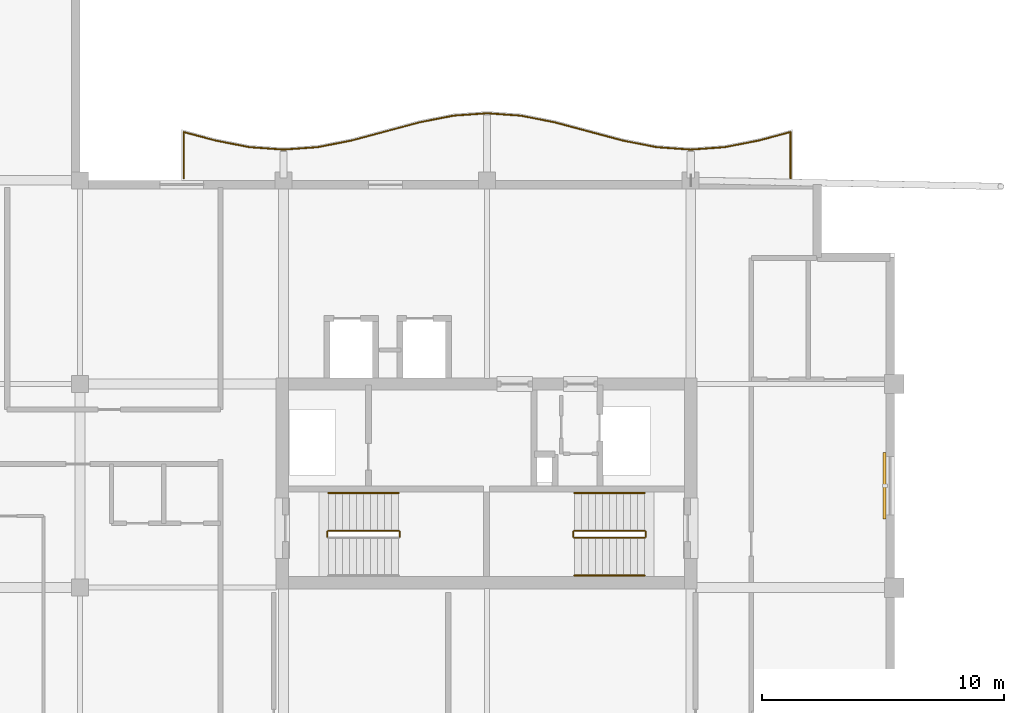
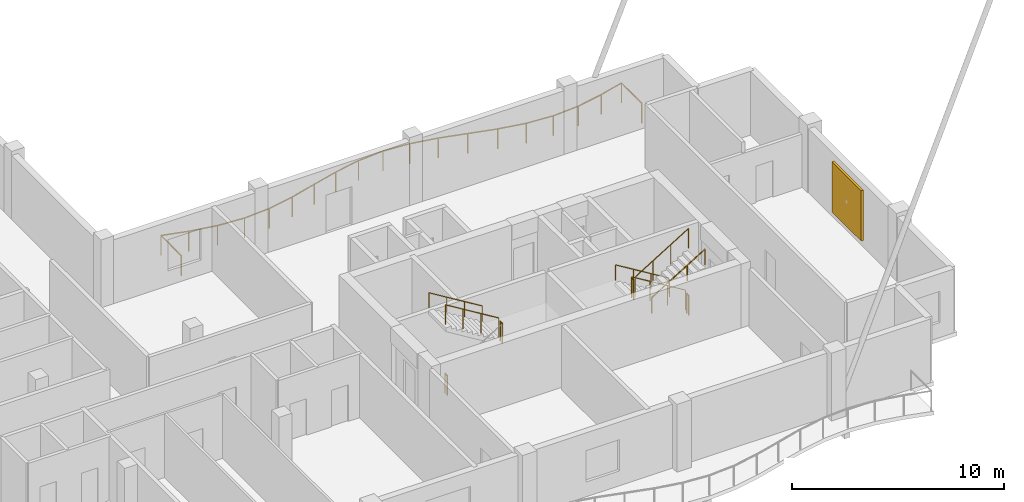
# One storey, part 16 of 17: 11 railings, 1 shading device.
"""IFC4 building model written with IfcOpenShell, lengths in metres."""

from ifc_helpers import new_model, si_unit, direction, frame, origin, origin_2d, place, context, subcontext, project, spatial, rectangle, circle, extrude, material, layer, layer_set, type_object, element, save


model = new_model("IFC4")

# Units and contexts
model_context = context("Model", 3, precision=1e-05, world=origin(), true_north=direction((0.0, 1.0)))
body_context = subcontext(model_context, "Body", "Model", "MODEL_VIEW")
ifc_project = project(units=[si_unit("LENGTHUNIT", "METRE"), si_unit("AREAUNIT", "SQUARE_METRE"), si_unit("VOLUMEUNIT", "CUBIC_METRE"), si_unit("PLANEANGLEUNIT", "RADIAN"), si_unit("MASSUNIT", "GRAM", prefix="KILO")], contexts=[model_context])

# Site, building, storey
site_placement = place(None, origin())
site = spatial("IfcSite", under=ifc_project, at=site_placement, CompositionType="ELEMENT")
building_placement = place(site_placement, origin())
building = spatial("IfcBuilding", under=site, at=building_placement, Name="Koriwani Terraces Tower", CompositionType="ELEMENT")
storey_placement = place(building_placement, frame((0.0, 0.0, 332.0)))
storey = spatial("IfcBuildingStorey", under=building, at=storey_placement, Name="L82", CompositionType="ELEMENT", Elevation=332.0)

# Railings
ifc_material_1 = material(Name="Steel ASTM A572 Grade 50", Category="steel")
railing_type_1 = type_object("IfcRailingType", Name="GUARD_BALUSTRADE_1150", PredefinedType="BALUSTRADE", material=ifc_material_1)
railing_1_placement = place(storey_placement, frame((62.919921875, 33.679931640625, 0.0)))
element("IfcRailing", 1, at=railing_1_placement, inside=storey, type_object=railing_type_1, Name="L82 Balcony Perimeter Safety Balustrade (NE)", PredefinedType="BALUSTRADE", context=body_context, shape_type="SweptSolid", body=[
    extrude(circle(Radius=0.02392578125, at=origin_2d()), frame((0.0, 0.0, 1.1259765625), z_axis=(0.0, 1.0, 0.0), x_axis=(-1.0, 0.0, 0.0)), (0.0, 0.0, 1.0), 1.915771484375),
    extrude(circle(Radius=0.02392578125, at=origin_2d()), frame((0.0, 1.915771484375, 1.1259765625), z_axis=(-0.965969874285, -0.258654599752, 0.0), x_axis=(0.258654599752, -0.965969874285, 0.0)), (0.0, 0.0, 1.0), 1.347900390625),
    extrude(circle(Radius=0.02392578125, at=origin_2d()), frame((-1.302001953125, 1.567138671875, 1.1259765625), z_axis=(-0.981352180954, -0.192218357442, 0.0), x_axis=(0.192218357442, -0.981352180954, 0.0)), (0.0, 0.0, 1.0), 1.43408203125),
    extrude(circle(Radius=0.02392578125, at=origin_2d()), frame((-2.709228515625, 1.29150390625, 1.1259765625), z_axis=(-0.997430581876, -0.071639614309, 0.0), x_axis=(0.071639614309, -0.997430581876, 0.0)), (0.0, 0.0, 1.0), 1.414306640625),
    extrude(circle(Radius=0.02392578125, at=origin_2d()), frame((-4.119873046875, 1.190185546875, 1.1259765625), z_axis=(-0.997430581876, 0.071639614309, 0.0), x_axis=(-0.071639614309, -0.997430581876, 0.0)), (0.0, 0.0, 1.0), 1.414306640625),
    extrude(circle(Radius=0.02392578125, at=origin_2d()), frame((-5.530517578125, 1.29150390625, 1.1259765625), z_axis=(-0.981358469957, 0.192186246762, 0.0), x_axis=(-0.192186246762, -0.981358469957, 0.0)), (0.0, 0.0, 1.0), 1.434326171875),
    extrude(circle(Radius=0.02392578125, at=origin_2d()), frame((-6.93798828125, 1.567138671875, 1.1259765625), z_axis=(-0.96594917914, 0.258731875344, 0.0), x_axis=(-0.258731875344, -0.96594917914, 0.0)), (0.0, 0.0, 1.0), 2.898681640625),
    extrude(circle(Radius=0.02392578125, at=origin_2d()), frame((-9.738037109375, 2.317138671875, 1.1259765625), z_axis=(-0.981327760125, 0.192342993657, 0.0), x_axis=(-0.192342993657, -0.981327760125, 0.0)), (0.0, 0.0, 1.0), 1.419189453125),
    extrude(circle(Radius=0.02392578125, at=origin_2d()), frame((-11.130615234375, 2.590087890625, 1.1259765625), z_axis=(-0.997427466293, 0.07168297904, 0.0), x_axis=(-0.07168297904, -0.997427466293, 0.0)), (0.0, 0.0, 1.0), 1.39306640625),
    extrude(circle(Radius=0.02392578125, at=origin_2d()), frame((-12.52001953125, 2.68994140625, 1.1259765625), z_axis=(-0.997427466293, -0.07168297904, 0.0), x_axis=(0.07168297904, -0.997427466293, 0.0)), (0.0, 0.0, 1.0), 1.39306640625),
    extrude(circle(Radius=0.02392578125, at=origin_2d()), frame((-13.909423828125, 2.590087890625, 1.1259765625), z_axis=(-0.981321393675, -0.19237547223, 0.0), x_axis=(0.19237547223, -0.981321393675, 0.0)), (0.0, 0.0, 1.0), 1.4189453125),
    extrude(circle(Radius=0.02392578125, at=origin_2d()), frame((-15.3017578125, 2.317138671875, 1.1259765625), z_axis=(-0.96594917914, -0.258731875344, 0.0), x_axis=(0.258731875344, -0.96594917914, 0.0)), (0.0, 0.0, 1.0), 2.898681640625),
    extrude(circle(Radius=0.02392578125, at=origin_2d()), frame((-18.101806640625, 1.567138671875, 1.1259765625), z_axis=(-0.981358469957, -0.192186246762, 0.0), x_axis=(0.192186246762, -0.981358469957, 0.0)), (0.0, 0.0, 1.0), 1.434326171875),
    extrude(circle(Radius=0.02392578125, at=origin_2d()), frame((-19.50927734375, 1.29150390625, 1.1259765625), z_axis=(-0.997430581876, -0.071639614309, 0.0), x_axis=(0.071639614309, -0.997430581876, 0.0)), (0.0, 0.0, 1.0), 1.414306640625),
    extrude(circle(Radius=0.02392578125, at=origin_2d()), frame((-20.919921875, 1.190185546875, 1.1259765625), z_axis=(-0.997430581876, 0.071639614309, 0.0), x_axis=(-0.071639614309, -0.997430581876, 0.0)), (0.0, 0.0, 1.0), 1.414306640625),
    extrude(circle(Radius=0.02392578125, at=origin_2d()), frame((-22.33056640625, 1.29150390625, 1.1259765625), z_axis=(-0.981358469957, 0.192186246762, 0.0), x_axis=(-0.192186246762, -0.981358469957, 0.0)), (0.0, 0.0, 1.0), 1.434326171875),
    extrude(circle(Radius=0.02392578125, at=origin_2d()), frame((-23.738037109375, 1.567138671875, 1.1259765625), z_axis=(-0.965969874285, 0.258654599752, 0.0), x_axis=(-0.258654599752, -0.965969874285, 0.0)), (0.0, 0.0, 1.0), 1.347900390625),
    extrude(circle(Radius=0.02392578125, at=origin_2d()), frame((-25.0400390625, 1.915771484375, 1.1259765625), z_axis=(0.0, -1.0, 0.0), x_axis=(1.0, 0.0, 0.0)), (0.0, 0.0, 1.0), 1.915771484375),
    extrude(circle(Radius=0.02099609375, at=origin_2d()), origin(), (0.0, 0.0, 1.0), 1.101806640625),
    extrude(circle(Radius=0.02099609375, at=origin_2d()), frame((0.0, 1.915771484375, 0.0)), (0.0, 0.0, 1.0), 1.101806640625),
    extrude(circle(Radius=0.02099609375, at=origin_2d()), frame((-1.302001953125, 1.567138671875, 0.0)), (0.0, 0.0, 1.0), 1.101806640625),
    extrude(circle(Radius=0.02099609375, at=origin_2d()), frame((-2.709228515625, 1.29150390625, 0.0)), (0.0, 0.0, 1.0), 1.101806640625),
    extrude(circle(Radius=0.02099609375, at=origin_2d()), frame((-4.119873046875, 1.190185546875, 0.0)), (0.0, 0.0, 1.0), 1.101806640625),
    extrude(circle(Radius=0.02099609375, at=origin_2d()), frame((-5.530517578125, 1.29150390625, 0.0)), (0.0, 0.0, 1.0), 1.101806640625),
    extrude(circle(Radius=0.02099609375, at=origin_2d()), frame((-6.93798828125, 1.567138671875, 0.0)), (0.0, 0.0, 1.0), 1.101806640625),
    extrude(circle(Radius=0.02099609375, at=origin_2d()), frame((-8.337890625, 1.942138671875, 0.0)), (0.0, 0.0, 1.0), 1.101806640625),
    extrude(circle(Radius=0.02099609375, at=origin_2d()), frame((-9.738037109375, 2.317138671875, 0.0)), (0.0, 0.0, 1.0), 1.101806640625),
    extrude(circle(Radius=0.02099609375, at=origin_2d()), frame((-11.130615234375, 2.590087890625, 0.0)), (0.0, 0.0, 1.0), 1.101806640625),
    extrude(circle(Radius=0.02099609375, at=origin_2d()), frame((-12.52001953125, 2.68994140625, 0.0)), (0.0, 0.0, 1.0), 1.101806640625),
    extrude(circle(Radius=0.02099609375, at=origin_2d()), frame((-13.909423828125, 2.590087890625, 0.0)), (0.0, 0.0, 1.0), 1.101806640625),
    extrude(circle(Radius=0.02099609375, at=origin_2d()), frame((-15.3017578125, 2.317138671875, 0.0)), (0.0, 0.0, 1.0), 1.101806640625),
    extrude(circle(Radius=0.02099609375, at=origin_2d()), frame((-16.70166015625, 1.942138671875, 0.0)), (0.0, 0.0, 1.0), 1.101806640625),
    extrude(circle(Radius=0.02099609375, at=origin_2d()), frame((-18.101806640625, 1.567138671875, 0.0)), (0.0, 0.0, 1.0), 1.101806640625),
    extrude(circle(Radius=0.02099609375, at=origin_2d()), frame((-19.50927734375, 1.29150390625, 0.0)), (0.0, 0.0, 1.0), 1.101806640625),
    extrude(circle(Radius=0.02099609375, at=origin_2d()), frame((-20.919921875, 1.190185546875, 0.0)), (0.0, 0.0, 1.0), 1.101806640625),
    extrude(circle(Radius=0.02099609375, at=origin_2d()), frame((-22.33056640625, 1.29150390625, 0.0)), (0.0, 0.0, 1.0), 1.101806640625),
    extrude(circle(Radius=0.02099609375, at=origin_2d()), frame((-23.738037109375, 1.567138671875, 0.0)), (0.0, 0.0, 1.0), 1.101806640625),
    extrude(circle(Radius=0.02099609375, at=origin_2d()), frame((-25.0400390625, 1.915771484375, 0.0)), (0.0, 0.0, 1.0), 1.101806640625),
    extrude(circle(Radius=0.02099609375, at=origin_2d()), frame((-25.0400390625, 0.0, 0.0)), (0.0, 0.0, 1.0), 1.101806640625),
])
railing_type_2 = type_object("IfcRailingType", Name="GUARD_STAIR_WELL_1120", PredefinedType="GUARDRAIL", material=ifc_material_1)
railing_2_placement = place(storey_placement, frame((46.800048828125, 18.89990234375, 1.949951171875)))
element("IfcRailing", 2, at=railing_2_placement, inside=storey, type_object=railing_type_2, Name="L82 ST-E1 stair guard 2", PredefinedType="GUARDRAIL", context=body_context, shape_type="SweptSolid", body=[
    extrude(circle(Radius=0.02392578125, at=origin_2d()), frame((0.0, 0.0, 1.1259765625), z_axis=(0.0, 1.0, 0.0), x_axis=(-1.0, 0.0, 0.0)), (0.0, 0.0, 1.0), 0.2001953125),
    extrude(circle(Radius=0.02099609375, at=origin_2d()), origin(), (0.0, 0.0, 1.0), 1.101806640625),
    extrude(circle(Radius=0.02099609375, at=origin_2d()), frame((0.0, 0.2001953125, 0.0)), (0.0, 0.0, 1.0), 1.101806640625),
])
railing_3_placement = place(storey_placement, frame((46.75, 19.14990234375, 2.127197265625)))
element("IfcRailing", 3, at=railing_3_placement, inside=storey, type_object=railing_type_2, Name="L82 ST-E1 stair guard 3", PredefinedType="GUARDRAIL", context=body_context, shape_type="SweptSolid", body=[
    extrude(circle(Radius=0.02392578125, at=origin_2d()), frame((0.0, 0.0, 1.1259765625), z_axis=(-0.853210801645, 0.0, 0.521566225858), x_axis=(0.0, -1.0, 0.0)), (0.0, 0.0, 1.0), 3.39892578125),
    extrude(circle(Radius=0.02099609375, at=origin_2d()), origin(), (0.0, 0.0, 1.0), 1.101806640625),
    extrude(circle(Radius=0.02099609375, at=origin_2d()), frame((-0.966552734375, 0.0, 0.5908203125)), (0.0, 0.0, 1.0), 1.101806640625),
    extrude(circle(Radius=0.02099609375, at=origin_2d()), frame((-1.933349609375, 0.0, 1.181884765625)), (0.0, 0.0, 1.0), 1.101806640625),
    extrude(circle(Radius=0.02099609375, at=origin_2d()), frame((-2.89990234375, 0.0, 1.772705078125)), (0.0, 0.0, 1.0), 1.101806640625),
])
railing_4_placement = place(storey_placement, frame((43.800048828125, 18.89990234375, 0.0)))
element("IfcRailing", 4, at=railing_4_placement, inside=storey, type_object=railing_type_2, Name="L82 ST-E1 stair guard 4", PredefinedType="GUARDRAIL", context=body_context, shape_type="SweptSolid", body=[
    extrude(circle(Radius=0.02392578125, at=origin_2d()), frame((0.0, 0.0, 1.1259765625), z_axis=(0.0, 1.0, 0.0), x_axis=(-1.0, 0.0, 0.0)), (0.0, 0.0, 1.0), 0.2001953125),
    extrude(circle(Radius=0.02099609375, at=origin_2d()), origin(), (0.0, 0.0, 1.0), 1.101806640625),
    extrude(circle(Radius=0.02099609375, at=origin_2d()), frame((0.0, 0.2001953125, 0.0)), (0.0, 0.0, 1.0), 1.101806640625),
])
railing_5_placement = place(storey_placement, frame((56.89990234375, 19.14990234375, 0.17724609375)))
element("IfcRailing", 5, at=railing_5_placement, inside=storey, type_object=railing_type_2, Name="L82 ST-E2 stair guard 1", PredefinedType="GUARDRAIL", context=body_context, shape_type="SweptSolid", body=[
    extrude(circle(Radius=0.02392578125, at=origin_2d()), frame((0.0, 0.0, 1.1259765625), z_axis=(-0.853210801645, 0.0, 0.521566225858), x_axis=(0.0, -1.0, 0.0)), (0.0, 0.0, 1.0), 3.39892578125),
    extrude(circle(Radius=0.02099609375, at=origin_2d()), origin(), (0.0, 0.0, 1.0), 1.101806640625),
    extrude(circle(Radius=0.02099609375, at=origin_2d()), frame((-0.966552734375, 0.0, 0.5908203125)), (0.0, 0.0, 1.0), 1.101806640625),
    extrude(circle(Radius=0.02099609375, at=origin_2d()), frame((-1.933349609375, 0.0, 1.181884765625)), (0.0, 0.0, 1.0), 1.101806640625),
    extrude(circle(Radius=0.02099609375, at=origin_2d()), frame((-2.89990234375, 0.0, 1.772705078125)), (0.0, 0.0, 1.0), 1.101806640625),
])
railing_6_placement = place(storey_placement, frame((53.949951171875, 19.10009765625, 1.949951171875)))
element("IfcRailing", 6, at=railing_6_placement, inside=storey, type_object=railing_type_2, Name="L82 ST-E2 stair guard 2", PredefinedType="GUARDRAIL", context=body_context, shape_type="SweptSolid", body=[
    extrude(circle(Radius=0.02392578125, at=origin_2d()), frame((0.0, 0.0, 1.1259765625), z_axis=(0.0, -1.0, 0.0), x_axis=(1.0, 0.0, 0.0)), (0.0, 0.0, 1.0), 0.2001953125),
    extrude(circle(Radius=0.02099609375, at=origin_2d()), origin(), (0.0, 0.0, 1.0), 1.101806640625),
    extrude(circle(Radius=0.02099609375, at=origin_2d()), frame((0.0, -0.2001953125, 0.0)), (0.0, 0.0, 1.0), 1.101806640625),
])
railing_7_placement = place(storey_placement, frame((54.0, 18.85009765625, 2.127197265625)))
element("IfcRailing", 7, at=railing_7_placement, inside=storey, type_object=railing_type_2, Name="L82 ST-E2 stair guard 3", PredefinedType="GUARDRAIL", context=body_context, shape_type="SweptSolid", body=[
    extrude(circle(Radius=0.02392578125, at=origin_2d()), frame((0.0, 0.0, 1.1259765625), z_axis=(0.853210801645, 0.0, 0.521566225858), x_axis=(0.0, 1.0, 0.0)), (0.0, 0.0, 1.0), 3.39892578125),
    extrude(circle(Radius=0.02099609375, at=origin_2d()), origin(), (0.0, 0.0, 1.0), 1.101806640625),
    extrude(circle(Radius=0.02099609375, at=origin_2d()), frame((0.966552734375, 0.0, 0.5908203125)), (0.0, 0.0, 1.0), 1.101806640625),
    extrude(circle(Radius=0.02099609375, at=origin_2d()), frame((1.933349609375, 0.0, 1.181884765625)), (0.0, 0.0, 1.0), 1.101806640625),
    extrude(circle(Radius=0.02099609375, at=origin_2d()), frame((2.89990234375, 0.0, 1.772705078125)), (0.0, 0.0, 1.0), 1.101806640625),
])
railing_8_placement = place(storey_placement, frame((56.949951171875, 19.10009765625, 0.0)))
element("IfcRailing", 8, at=railing_8_placement, inside=storey, type_object=railing_type_2, Name="L82 ST-E2 stair guard 4", PredefinedType="GUARDRAIL", context=body_context, shape_type="SweptSolid", body=[
    extrude(circle(Radius=0.02392578125, at=origin_2d()), frame((0.0, 0.0, 1.1259765625), z_axis=(0.0, -1.0, 0.0), x_axis=(1.0, 0.0, 0.0)), (0.0, 0.0, 1.0), 0.2001953125),
    extrude(circle(Radius=0.02099609375, at=origin_2d()), origin(), (0.0, 0.0, 1.0), 1.101806640625),
    extrude(circle(Radius=0.02099609375, at=origin_2d()), frame((0.0, -0.2001953125, 0.0)), (0.0, 0.0, 1.0), 1.101806640625),
])
railing_type_3 = type_object("IfcRailingType", Name="HANDRAIL_STAIR_920", PredefinedType="HANDRAIL", material=ifc_material_1)
for number, where, name in (
    (9, (46.75, 20.699951171875, 2.127197265625), "L82 ST-E1 stair handrail 2"),
    (10, (56.89990234375, 20.699951171875, 0.17724609375), "L82 ST-E2 stair handrail 1"),
):
    element("IfcRailing", number, at=place(storey_placement, frame(where)), inside=storey, type_object=railing_type_3, Name=name, PredefinedType="HANDRAIL", context=body_context, shape_type="SweptSolid", body=[
        extrude(circle(Radius=0.02392578125, at=origin_2d()), frame((0.0, 0.0, 0.8759765625), z_axis=(-0.853210801645, 0.0, 0.521566225858), x_axis=(0.0, -1.0, 0.0)), (0.0, 0.0, 1.0), 3.39892578125),
        extrude(circle(Radius=0.02099609375, at=origin_2d()), origin(), (0.0, 0.0, 1.0), 0.851806640625),
        extrude(circle(Radius=0.02099609375, at=origin_2d()), frame((-0.966552734375, 0.0, 0.5908203125)), (0.0, 0.0, 1.0), 0.851806640625),
        extrude(circle(Radius=0.02099609375, at=origin_2d()), frame((-1.933349609375, 0.0, 1.181884765625)), (0.0, 0.0, 1.0), 0.851806640625),
        extrude(circle(Radius=0.02099609375, at=origin_2d()), frame((-2.89990234375, 0.0, 1.772705078125)), (0.0, 0.0, 1.0), 0.851806640625),
    ])
railing_9_placement = place(storey_placement, frame((54.0, 17.300048828125, 2.127197265625)))
element("IfcRailing", 11, at=railing_9_placement, inside=storey, type_object=railing_type_3, Name="L82 ST-E2 stair handrail 2", PredefinedType="HANDRAIL", context=body_context, shape_type="SweptSolid", body=[
    extrude(circle(Radius=0.02392578125, at=origin_2d()), frame((0.0, 0.0, 0.8759765625), z_axis=(0.853210801645, 0.0, 0.521566225858), x_axis=(0.0, 1.0, 0.0)), (0.0, 0.0, 1.0), 3.39892578125),
    extrude(circle(Radius=0.02099609375, at=origin_2d()), origin(), (0.0, 0.0, 1.0), 0.851806640625),
    extrude(circle(Radius=0.02099609375, at=origin_2d()), frame((0.966552734375, 0.0, 0.5908203125)), (0.0, 0.0, 1.0), 0.851806640625),
    extrude(circle(Radius=0.02099609375, at=origin_2d()), frame((1.933349609375, 0.0, 1.181884765625)), (0.0, 0.0, 1.0), 0.851806640625),
    extrude(circle(Radius=0.02099609375, at=origin_2d()), frame((2.89990234375, 0.0, 1.772705078125)), (0.0, 0.0, 1.0), 0.851806640625),
])

# Shading device
ifc_material_2 = material(Name="Extruded Terracotta Clay", Category="masonry")
ifc_layer = layer(ifc_material_2, 0.1201171875, Name="Extruded Terracotta Clay")
ifc_layer_set = layer_set([ifc_layer], Name="Extruded Terracotta Clay")
shading_device_type = type_object("IfcShadingDeviceType", Name="TERRACOTTA_BAGUETTE_SCREEN_2800", PredefinedType="USERDEFINED", material=ifc_layer_set)
shading_device_placement = place(storey_placement, frame((66.794921875, 21.0, 0.385009765625), z_axis=(0.0, 0.0, 1.0), x_axis=(0.0, -1.0, 0.0)))
element("IfcShadingDevice", 12, at=shading_device_placement, inside=storey, type_object=shading_device_type, Name="L82 Extruded Terracotta Baguette Screen (E_TIP-3)", ObjectType="BAGUETTE", PredefinedType="USERDEFINED", context=body_context, shape_type="SweptSolid", body=[
    extrude(rectangle(XDim=2.760009765625, YDim=0.1201171875, at=origin_2d()), origin(), (0.0, 0.0, 1.0), 2.89990234375),
])

save(model, "model.ifc")
